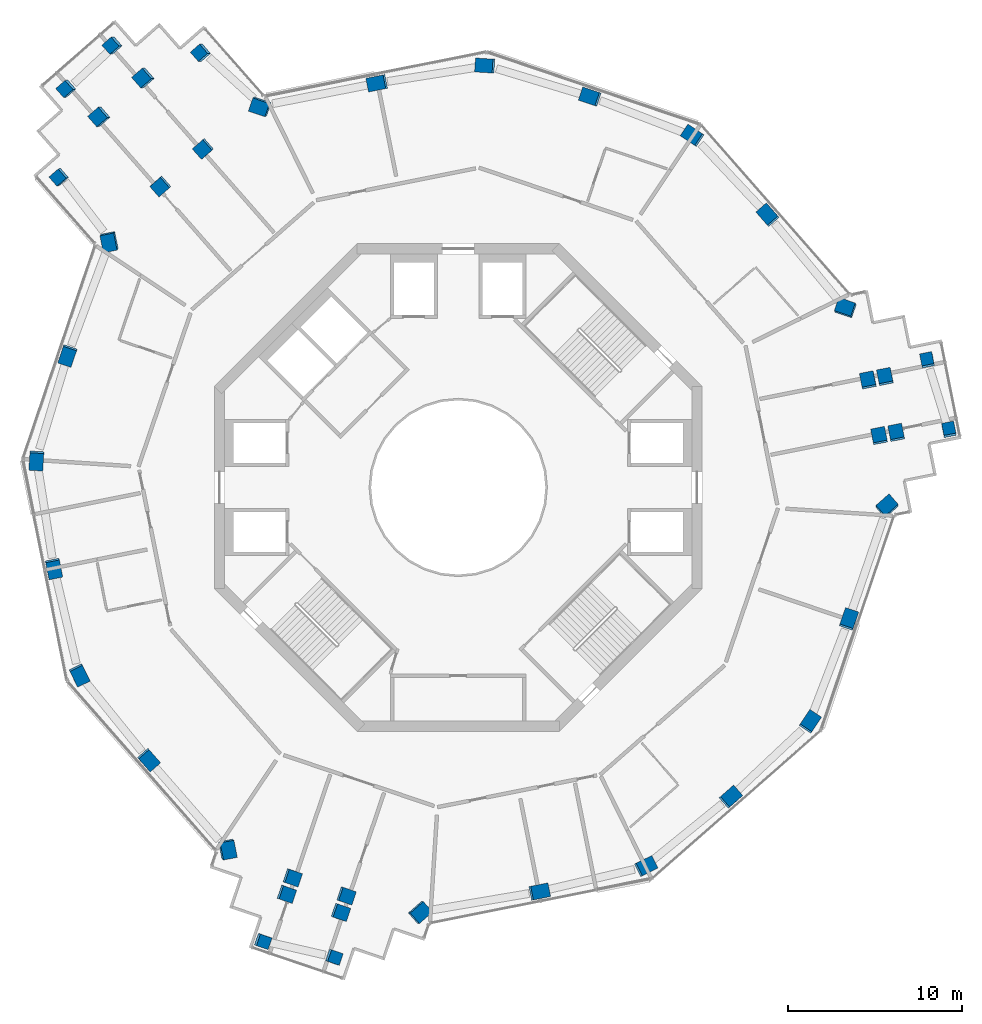
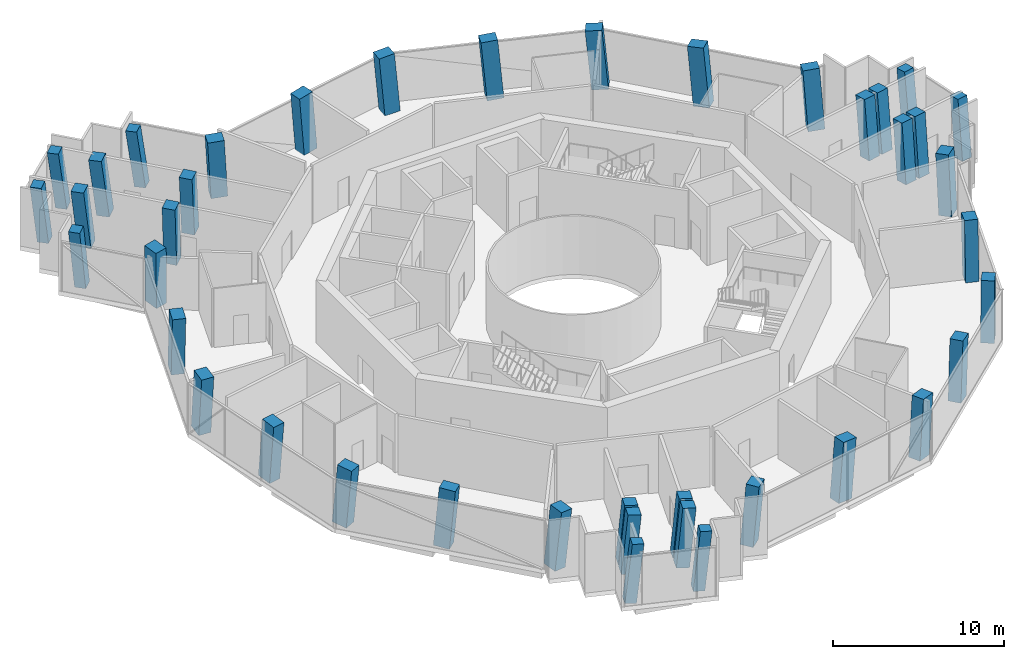
# One storey, part 1 of 17: 41 columns.
"""IFC4 building model written with IfcOpenShell, lengths in metres."""

from ifc_helpers import new_model, si_unit, direction, frame, origin, origin_2d, place, context, subcontext, project, spatial, rectangle, extrude, material, material_profile, profile_set, type_object, element, save


model = new_model("IFC4")

# Units and contexts
model_context = context("Model", 3, precision=1e-05, world=origin(), true_north=direction((0.0, 1.0)))
body_context = subcontext(model_context, "Body", "Model", "MODEL_VIEW")
ifc_project = project(units=[si_unit("LENGTHUNIT", "METRE"), si_unit("AREAUNIT", "SQUARE_METRE"), si_unit("VOLUMEUNIT", "CUBIC_METRE"), si_unit("PLANEANGLEUNIT", "RADIAN"), si_unit("MASSUNIT", "GRAM", prefix="KILO")], contexts=[model_context])

# Site, building, storey
site_placement = place(None, origin())
site = spatial("IfcSite", under=ifc_project, at=site_placement, CompositionType="ELEMENT")
building_placement = place(site_placement, origin())
building = spatial("IfcBuilding", under=site, at=building_placement, Name="Verdalira Terraces Hotel", CompositionType="ELEMENT")
storey_placement = place(building_placement, frame((0.0, 0.0, 201.0)))
storey = spatial("IfcBuildingStorey", under=building, at=storey_placement, Name="L49", CompositionType="ELEMENT", Elevation=201.0)

# Columns
ifc_material_1 = material(Name="Concrete C60", Category="concrete")
ifc_material_profile_1 = material_profile(ifc_material_1, rectangle(XDim=1.0, YDim=0.800049, at=origin_2d()), Name="RC 1000X800")
ifc_profile_set_1 = profile_set([ifc_material_profile_1], Name="Concrete C60")
column_type_1 = type_object("IfcColumnType", Name="Column RC 1000X800 C60", PredefinedType="COLUMN", material=ifc_profile_set_1)
column_1_placement = place(storey_placement, frame((-20.005615, 14.11792, 0.0), z_axis=(-0.051702637, -0.07462356, 0.995870555), x_axis=(-0.19950791, 0.977874236, 0.062917184)))
element("IfcColumn", 1, at=column_1_placement, inside=storey, type_object=column_type_1, Name="Column C03", PredefinedType="COLUMN", context=body_context, shape_type="SweptSolid", body=[
    extrude(rectangle(XDim=1.0, YDim=0.800049, at=origin_2d()), origin(), (0.0, 0.0, 1.0), 4.207275),
])
column_2_placement = place(storey_placement, frame((-22.406738, 7.593018, 0.0), z_axis=(-0.027454561, -0.083350423, 0.996142035), x_axis=(-0.319622961, -0.943472661, -0.0877525)))
element("IfcColumn", 2, at=column_2_placement, inside=storey, type_object=column_type_1, Name="Column C04", PredefinedType="COLUMN", context=body_context, shape_type="SweptSolid", body=[
    extrude(rectangle(XDim=1.0, YDim=0.800049, at=origin_2d()), origin(), (0.0, 0.0, 1.0), 4.206055),
])
column_3_placement = place(storey_placement, frame((-24.203613, 1.57373, 0.0), z_axis=(-0.005106808, -0.089833403, 0.995943713), x_axis=(0.064922521, 0.993825699, 0.089975257)))
element("IfcColumn", 3, at=column_3_placement, inside=storey, type_object=column_type_1, Name="Column C05", PredefinedType="COLUMN", context=body_context, shape_type="SweptSolid", body=[
    extrude(rectangle(XDim=1.0, YDim=0.800049, at=origin_2d()), origin(), (0.0, 0.0, 1.0), 4.207031),
])
column_4_placement = place(storey_placement, frame((-23.201416, -4.627686, 0.0), z_axis=(0.017877406, -0.085904417, 0.996142976), x_axis=(0.194715676, -0.976927418, -0.087741814)))
element("IfcColumn", 4, at=column_4_placement, inside=storey, type_object=column_type_1, Name="Column C06", PredefinedType="COLUMN", context=body_context, shape_type="SweptSolid", body=[
    extrude(rectangle(XDim=1.0, YDim=0.800049, at=origin_2d()), origin(), (0.0, 0.0, 1.0), 4.206055),
])
column_5_placement = place(storey_placement, frame((-21.747803, -10.739014, 0.0), z_axis=(0.040506371, -0.080316357, 0.995946041), x_axis=(-0.44095499, 0.893010518, 0.08994949)))
element("IfcColumn", 5, at=column_5_placement, inside=storey, type_object=column_type_1, Name="Column C07", PredefinedType="COLUMN", context=body_context, shape_type="SweptSolid", body=[
    extrude(rectangle(XDim=1.0, YDim=0.800049, at=origin_2d()), origin(), (0.0, 0.0, 1.0), 4.207031),
])
column_6_placement = place(storey_placement, frame((-17.779053, -15.608398, 0.0), z_axis=(0.058449937, -0.065415172, 0.996144799), x_axis=(0.65742794, -0.748393953, -0.087721123)))
element("IfcColumn", 6, at=column_6_placement, inside=storey, type_object=column_type_1, Name="Column C08", PredefinedType="COLUMN", context=body_context, shape_type="SweptSolid", body=[
    extrude(rectangle(XDim=1.0, YDim=0.800049, at=origin_2d()), origin(), (0.0, 0.0, 1.0), 4.206055),
])
column_7_placement = place(storey_placement, frame((-13.262207, -20.753418, 0.0), z_axis=(0.077347199, -0.048508821, 0.995823431), x_axis=(-0.191233181, 0.979548334, 0.062569411)))
element("IfcColumn", 7, at=column_7_placement, inside=storey, type_object=column_type_1, Name="Column C09", PredefinedType="COLUMN", context=body_context, shape_type="SweptSolid", body=[
    extrude(rectangle(XDim=1.0, YDim=0.800049, at=origin_2d()), origin(), (0.0, 0.0, 1.0), 4.20752),
])
column_8_placement = place(storey_placement, frame((-2.223633, -24.384277, 0.0), z_axis=(0.090465193, -0.007485574, 0.995871485), x_axis=(-0.747274409, -0.661531009, 0.06291011)))
element("IfcColumn", 8, at=column_8_placement, inside=storey, type_object=column_type_1, Name="Column C12", PredefinedType="COLUMN", context=body_context, shape_type="SweptSolid", body=[
    extrude(rectangle(XDim=1.0, YDim=0.800049, at=origin_2d()), origin(), (0.0, 0.0, 1.0), 4.207275),
])
column_9_placement = place(storey_placement, frame((4.627686, -23.201416, 0.0), z_axis=(0.085904417, 0.017877406, 0.996142976), x_axis=(0.976927418, 0.194715676, -0.087741814)))
element("IfcColumn", 9, at=column_9_placement, inside=storey, type_object=column_type_1, Name="Column C13", PredefinedType="COLUMN", context=body_context, shape_type="SweptSolid", body=[
    extrude(rectangle(XDim=1.0, YDim=0.800049, at=origin_2d()), origin(), (0.0, 0.0, 1.0), 4.206055),
])
column_10_placement = place(storey_placement, frame((10.739014, -21.747803, 0.0), z_axis=(0.080316357, 0.040506371, 0.995946041), x_axis=(-0.893010518, -0.44095499, 0.08994949)))
element("IfcColumn", 10, at=column_10_placement, inside=storey, type_object=column_type_1, Name="Column C14", PredefinedType="COLUMN", context=body_context, shape_type="SweptSolid", body=[
    extrude(rectangle(XDim=1.0, YDim=0.800049, at=origin_2d()), origin(), (0.0, 0.0, 1.0), 4.207031),
])
column_11_placement = place(storey_placement, frame((15.608398, -17.779053, 0.0), z_axis=(0.065415172, 0.058449937, 0.996144799), x_axis=(0.748393953, 0.65742794, -0.087721123)))
element("IfcColumn", 11, at=column_11_placement, inside=storey, type_object=column_type_1, Name="Column C15", PredefinedType="COLUMN", context=body_context, shape_type="SweptSolid", body=[
    extrude(rectangle(XDim=1.0, YDim=0.800049, at=origin_2d()), origin(), (0.0, 0.0, 1.0), 4.206055),
])
column_12_placement = place(storey_placement, frame((20.174316, -13.4646, 0.0), z_axis=(0.049269396, 0.075209821, 0.995949803), x_axis=(-0.552777696, -0.828464484, 0.089907833)))
element("IfcColumn", 12, at=column_12_placement, inside=storey, type_object=column_type_1, Name="Column C16", PredefinedType="COLUMN", context=body_context, shape_type="SweptSolid", body=[
    extrude(rectangle(XDim=1.0, YDim=0.800049, at=origin_2d()), origin(), (0.0, 0.0, 1.0), 4.207031),
])
column_13_placement = place(storey_placement, frame((22.406738, -7.593018, 0.0), z_axis=(0.027454561, 0.083350423, 0.996142035), x_axis=(0.319622961, 0.943472661, -0.0877525)))
element("IfcColumn", 13, at=column_13_placement, inside=storey, type_object=column_type_1, Name="Column C17", PredefinedType="COLUMN", context=body_context, shape_type="SweptSolid", body=[
    extrude(rectangle(XDim=1.0, YDim=0.800049, at=origin_2d()), origin(), (0.0, 0.0, 1.0), 4.206055),
])
column_14_placement = place(storey_placement, frame((24.604004, -1.108887, 0.0), z_axis=(0.003365434, 0.091272883, 0.995820232), x_axis=(-0.75289728, -0.655154763, 0.062593316)))
element("IfcColumn", 14, at=column_14_placement, inside=storey, type_object=column_type_1, Name="Column C18", PredefinedType="COLUMN", context=body_context, shape_type="SweptSolid", body=[
    extrude(rectangle(XDim=1.0, YDim=0.800049, at=origin_2d()), origin(), (0.0, 0.0, 1.0), 4.20752),
])
column_15_placement = place(storey_placement, frame((22.229248, 10.266357, 0.0), z_axis=(-0.038762421, 0.08210902, 0.99586926), x_axis=(0.946547309, -0.316367479, 0.062927024)))
element("IfcColumn", 15, at=column_15_placement, inside=storey, type_object=column_type_1, Name="Column C21", PredefinedType="COLUMN", context=body_context, shape_type="SweptSolid", body=[
    extrude(rectangle(XDim=1.0, YDim=0.800049, at=origin_2d()), origin(), (0.0, 0.0, 1.0), 4.207275),
])
column_16_placement = place(storey_placement, frame((17.779053, 15.608398, 0.0), z_axis=(-0.058449937, 0.065415172, 0.996144799), x_axis=(-0.65742794, 0.748393953, -0.087721123)))
element("IfcColumn", 16, at=column_16_placement, inside=storey, type_object=column_type_1, Name="Column C22", PredefinedType="COLUMN", context=body_context, shape_type="SweptSolid", body=[
    extrude(rectangle(XDim=1.0, YDim=0.800049, at=origin_2d()), origin(), (0.0, 0.0, 1.0), 4.206055),
])
column_17_placement = place(storey_placement, frame((13.4646, 20.174316, 0.0), z_axis=(-0.075209821, 0.049269396, 0.995949803), x_axis=(0.828464484, -0.552777696, 0.089907833)))
element("IfcColumn", 17, at=column_17_placement, inside=storey, type_object=column_type_1, Name="Column C23", PredefinedType="COLUMN", context=body_context, shape_type="SweptSolid", body=[
    extrude(rectangle(XDim=1.0, YDim=0.800049, at=origin_2d()), origin(), (0.0, 0.0, 1.0), 4.207031),
])
column_18_placement = place(storey_placement, frame((7.593018, 22.406738, 0.0), z_axis=(-0.083350423, 0.027454561, 0.996142035), x_axis=(-0.943472661, 0.319622961, -0.0877525)))
element("IfcColumn", 18, at=column_18_placement, inside=storey, type_object=column_type_1, Name="Column C24", PredefinedType="COLUMN", context=body_context, shape_type="SweptSolid", body=[
    extrude(rectangle(XDim=1.0, YDim=0.800049, at=origin_2d()), origin(), (0.0, 0.0, 1.0), 4.206055),
])
column_19_placement = place(storey_placement, frame((1.57373, 24.203613, 0.0), z_axis=(-0.089833403, 0.005106808, 0.995943713), x_axis=(0.993825699, -0.064922521, 0.089975257)))
element("IfcColumn", 19, at=column_19_placement, inside=storey, type_object=column_type_1, Name="Column C25", PredefinedType="COLUMN", context=body_context, shape_type="SweptSolid", body=[
    extrude(rectangle(XDim=1.0, YDim=0.800049, at=origin_2d()), origin(), (0.0, 0.0, 1.0), 4.207031),
])
column_20_placement = place(storey_placement, frame((-4.627686, 23.201416, 0.0), z_axis=(-0.085904417, -0.017877406, 0.996142976), x_axis=(-0.976927418, -0.194715676, -0.087741814)))
element("IfcColumn", 20, at=column_20_placement, inside=storey, type_object=column_type_1, Name="Column C26", PredefinedType="COLUMN", context=body_context, shape_type="SweptSolid", body=[
    extrude(rectangle(XDim=1.0, YDim=0.800049, at=origin_2d()), origin(), (0.0, 0.0, 1.0), 4.206055),
])
column_21_placement = place(storey_placement, frame((-11.341797, 21.862061, 0.0), z_axis=(-0.080712536, -0.042706274, 0.995822103), x_axis=(0.943806018, -0.324521227, 0.062579335)))
element("IfcColumn", 21, at=column_21_placement, inside=storey, type_object=column_type_1, Name="Column C27", PredefinedType="COLUMN", context=body_context, shape_type="SweptSolid", body=[
    extrude(rectangle(XDim=1.0, YDim=0.800049, at=origin_2d()), origin(), (0.0, 0.0, 1.0), 4.20752),
])
ifc_material_2 = material(Name="Concrete C60", Category="concrete")
ifc_material_profile_2 = material_profile(ifc_material_2, rectangle(XDim=0.699951, YDim=0.699951, at=origin_2d()), Name="RC 700X700")
ifc_profile_set_2 = profile_set([ifc_material_profile_2], Name="Concrete C60")
column_type_2 = type_object("IfcColumnType", Name="Column RC 700X700 C60", PredefinedType="COLUMN", material=ifc_profile_set_2)
column_22_placement = place(storey_placement, frame((-14.70874, 24.939453, 0.0), z_axis=(-0.141154841, -0.000288424, 0.989987489), x_axis=(-0.649300598, 0.754903014, -0.092358935)))
element("IfcColumn", 22, at=column_22_placement, inside=storey, type_object=column_type_2, Name="Column C01", PredefinedType="COLUMN", context=body_context, shape_type="SweptSolid", body=[
    extrude(rectangle(XDim=0.699951, YDim=0.699951, at=origin_2d()), origin(), (0.0, 0.0, 1.0), 4.232422),
])
column_23_placement = place(storey_placement, frame((-22.853271, 17.816162, 0.0), z_axis=(-0.114901214, -0.030200621, 0.992917738), x_axis=(0.654618416, -0.754112203, 0.052815849)))
element("IfcColumn", 23, at=column_23_placement, inside=storey, type_object=column_type_2, Name="Column C02", PredefinedType="COLUMN", context=body_context, shape_type="SweptSolid", body=[
    extrude(rectangle(XDim=0.699951, YDim=0.699951, at=origin_2d()), origin(), (0.0, 0.0, 1.0), 4.219727),
])
column_24_placement = place(storey_placement, frame((-11.247803, -26.025146, 0.0), z_axis=(0.096769705, -0.040851882, 0.994468073), x_axis=(0.942177792, -0.318318758, -0.104757699)))
element("IfcColumn", 24, at=column_24_placement, inside=storey, type_object=column_type_2, Name="Column C10", PredefinedType="COLUMN", context=body_context, shape_type="SweptSolid", body=[
    extrude(rectangle(XDim=0.699951, YDim=0.699951, at=origin_2d()), origin(), (0.0, 0.0, 1.0), 4.213135),
])
column_25_placement = place(storey_placement, frame((-7.166504, -26.943604, 0.0), z_axis=(0.100033105, -0.025732734, 0.994651298), x_axis=(0.941740099, -0.320183632, -0.102995277)))
element("IfcColumn", 25, at=column_25_placement, inside=storey, type_object=column_type_2, Name="Column C11", PredefinedType="COLUMN", context=body_context, shape_type="SweptSolid", body=[
    extrude(rectangle(XDim=0.699951, YDim=0.699951, at=origin_2d()), origin(), (0.0, 0.0, 1.0), 4.212402),
])
column_26_placement = place(storey_placement, frame((28.162354, 3.271973, 0.0), z_axis=(-0.012980031, 0.104129982, 0.994478992), x_axis=(-0.195294056, 0.975144942, -0.104654547)))
element("IfcColumn", 26, at=column_26_placement, inside=storey, type_object=column_type_2, Name="Column C19", PredefinedType="COLUMN", context=body_context, shape_type="SweptSolid", body=[
    extrude(rectangle(XDim=0.699951, YDim=0.699951, at=origin_2d()), origin(), (0.0, 0.0, 1.0), 4.213135),
])
column_27_placement = place(storey_placement, frame((26.916992, 7.265381, 0.0), z_axis=(-0.027703401, 0.099454052, 0.99465643), x_axis=(-0.193440256, 0.975696157, -0.102945988)))
element("IfcColumn", 27, at=column_27_placement, inside=storey, type_object=column_type_2, Name="Column C20", PredefinedType="COLUMN", context=body_context, shape_type="SweptSolid", body=[
    extrude(rectangle(XDim=0.699951, YDim=0.699951, at=origin_2d()), origin(), (0.0, 0.0, 1.0), 4.212402),
])
column_28_placement = place(storey_placement, frame((-19.782715, 25.368652, 0.0), z_axis=(-0.142485497, -0.01902882, 0.989613959), x_axis=(-0.739732476, -0.662251717, -0.119241465)))
element("IfcColumn", 28, at=column_28_placement, inside=storey, type_object=column_type_2, Name="Column C28", PredefinedType="COLUMN", context=body_context, shape_type="SweptSolid", body=[
    extrude(rectangle(XDim=0.699951, YDim=0.699951, at=origin_2d()), origin(), (0.0, 0.0, 1.0), 4.233887),
])
column_29_placement = place(storey_placement, frame((-22.438232, 22.891113, 0.0), z_axis=(-0.13339831, -0.028746153, 0.990645522), x_axis=(-0.74092236, -0.660972565, -0.118950933)))
element("IfcColumn", 29, at=column_29_placement, inside=storey, type_object=column_type_2, Name="Column C29", PredefinedType="COLUMN", context=body_context, shape_type="SweptSolid", body=[
    extrude(rectangle(XDim=0.699951, YDim=0.699951, at=origin_2d()), origin(), (0.0, 0.0, 1.0), 4.229492),
])
ifc_material_3 = material(Name="Concrete C60", Category="concrete")
ifc_material_profile_3 = material_profile(ifc_material_3, rectangle(XDim=0.800049, YDim=0.800049, at=origin_2d()), Name="RC 800X800")
ifc_profile_set_3 = profile_set([ifc_material_profile_3], Name="Concrete C60")
column_type_3 = type_object("IfcColumnType", Name="Column RC 800X800 C60", PredefinedType="COLUMN", material=ifc_profile_set_3)
for number, where, z_axis, x_axis, name in (
    (30, (-14.609131, 19.454834, 0.0), (-0.071667928, -0.054780991, 0.995923065), (-0.659436252, 0.751735701, -0.006104491), "Column C30"),
    (31, (-17.056396, 17.306396, 0.0), (-0.063602446, -0.06377654, 0.99593538), (-0.66032936, 0.750952798, 0.005918666), "Column C31"),
):
    element("IfcColumn", number, at=place(storey_placement, frame(where, z_axis=z_axis, x_axis=x_axis)), inside=storey, type_object=column_type_3, Name=name, PredefinedType="COLUMN", context=body_context, shape_type="SweptSolid", body=[
        extrude(rectangle(XDim=0.800049, YDim=0.800049, at=origin_2d()), origin(), (0.0, 0.0, 1.0), 4.207031),
    ])
column_30_placement = place(storey_placement, frame((-18.011475, 23.503906, 0.0), z_axis=(-0.135767261, -0.012468422, 0.990662298), x_axis=(-0.651061912, 0.754825923, -0.079725861)))
element("IfcColumn", 32, at=column_30_placement, inside=storey, type_object=column_type_3, Name="Column C32", PredefinedType="COLUMN", context=body_context, shape_type="SweptSolid", body=[
    extrude(rectangle(XDim=0.800049, YDim=0.800049, at=origin_2d()), origin(), (0.0, 0.0, 1.0), 4.229492),
])
column_31_placement = place(storey_placement, frame((-20.544678, 21.279785, 0.0), z_axis=(-0.127631305, -0.021724478, 0.991583732), x_axis=(-0.652473965, 0.754803788, -0.06744603)))
element("IfcColumn", 33, at=column_31_placement, inside=storey, type_object=column_type_3, Name="Column C33", PredefinedType="COLUMN", context=body_context, shape_type="SweptSolid", body=[
    extrude(rectangle(XDim=0.800049, YDim=0.800049, at=origin_2d()), origin(), (0.0, 0.0, 1.0), 4.225586),
])
for number, where, z_axis, x_axis, name in (
    (34, (-9.543701, -22.37915, 0.0), (0.083274005, -0.034702338, 0.99592228), (-0.321568573, -0.946866612, -0.006105077), "Column C34"),
    (35, (-6.459717, -23.424316, 0.0), (0.087046882, -0.023270533, 0.995932389), (-0.320929568, -0.947084556, 0.005920839), "Column C35"),
):
    element("IfcColumn", number, at=place(storey_placement, frame(where, z_axis=z_axis, x_axis=x_axis)), inside=storey, type_object=column_type_3, Name=name, PredefinedType="COLUMN", context=body_context, shape_type="SweptSolid", body=[
        extrude(rectangle(XDim=0.800049, YDim=0.800049, at=origin_2d()), origin(), (0.0, 0.0, 1.0), 4.207031),
    ])
for number, where, z_axis, x_axis, name in (
    (36, (-9.880615, -23.320801, 0.0), (0.08678402, -0.035908629, 0.995579783), (-0.32143363, -0.946912242, -0.006134132), "Column C36"),
    (37, (-6.780518, -24.371338, 0.0), (0.090555816, -0.024422805, 0.99559187), (-0.320838875, -0.947115108, 0.005948842), "Column C37"),
):
    element("IfcColumn", number, at=place(storey_placement, frame(where, z_axis=z_axis, x_axis=x_axis)), inside=storey, type_object=column_type_3, Name=name, PredefinedType="COLUMN", context=body_context, shape_type="SweptSolid", body=[
        extrude(rectangle(XDim=0.800049, YDim=0.800049, at=origin_2d()), origin(), (0.0, 0.0, 1.0), 4.208496),
    ])
for number, where, z_axis, x_axis, name in (
    (38, (24.152832, 2.924316, 0.0), (-0.011606115, 0.089483145, 0.995920712), (0.980751253, 0.195165812, -0.006106248), "Column C38"),
    (39, (23.515869, 6.11792, 0.0), (-0.02338665, 0.086989054, 0.995934721), (0.980612873, 0.195865659, 0.005919145), "Column C39"),
):
    element("IfcColumn", number, at=place(storey_placement, frame(where, z_axis=z_axis, x_axis=x_axis)), inside=storey, type_object=column_type_3, Name=name, PredefinedType="COLUMN", context=body_context, shape_type="SweptSolid", body=[
        extrude(rectangle(XDim=0.800049, YDim=0.800049, at=origin_2d()), origin(), (0.0, 0.0, 1.0), 4.207031),
    ])
for number, where, z_axis, x_axis, name in (
    (40, (25.136719, 3.103516, 0.0), (-0.012240273, 0.093107286, 0.99558084), (0.980876684, 0.194533575, -0.0061334), "Column C40"),
    (41, (24.496582, 6.313721, 0.0), (-0.024132918, 0.090556453, 0.995598881), (0.980591381, 0.195972475, 0.00594412), "Column C41"),
):
    element("IfcColumn", number, at=place(storey_placement, frame(where, z_axis=z_axis, x_axis=x_axis)), inside=storey, type_object=column_type_3, Name=name, PredefinedType="COLUMN", context=body_context, shape_type="SweptSolid", body=[
        extrude(rectangle(XDim=0.800049, YDim=0.800049, at=origin_2d()), origin(), (0.0, 0.0, 1.0), 4.208496),
    ])

save(model, "model.ifc")
